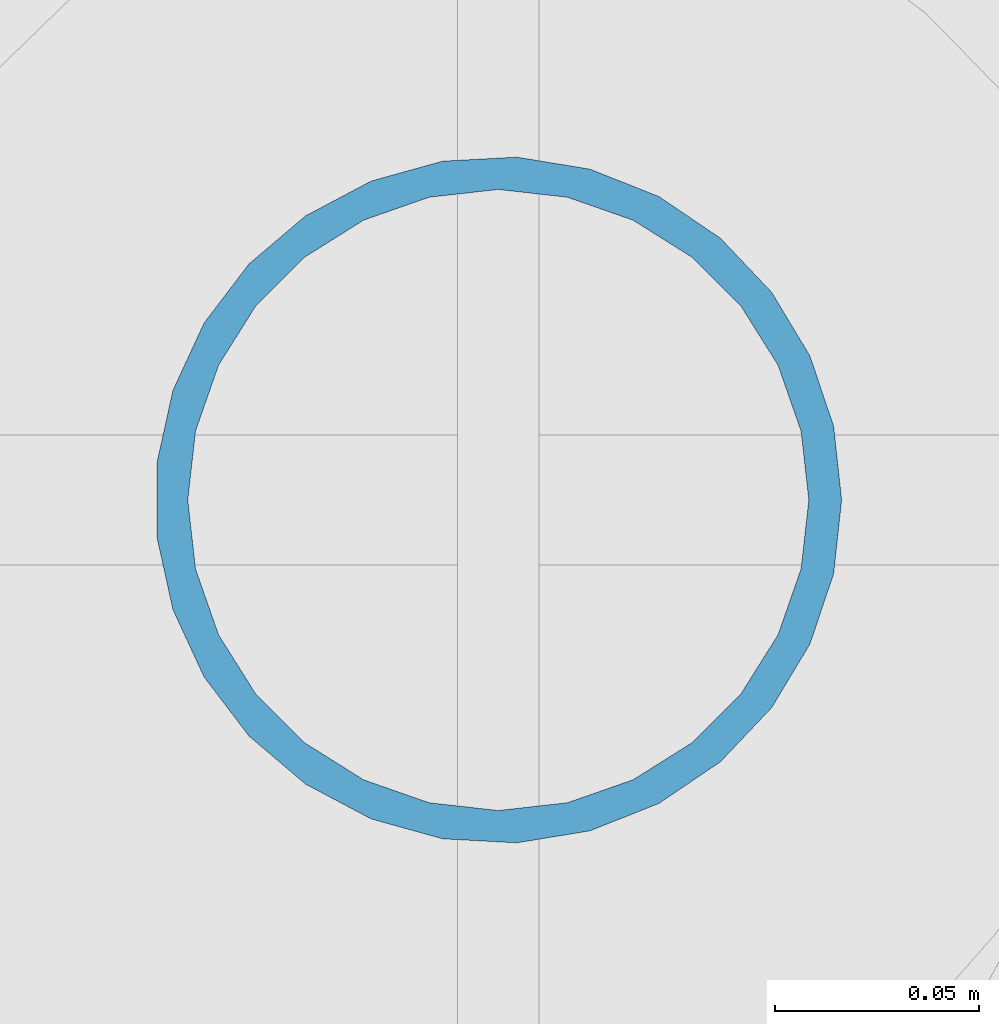
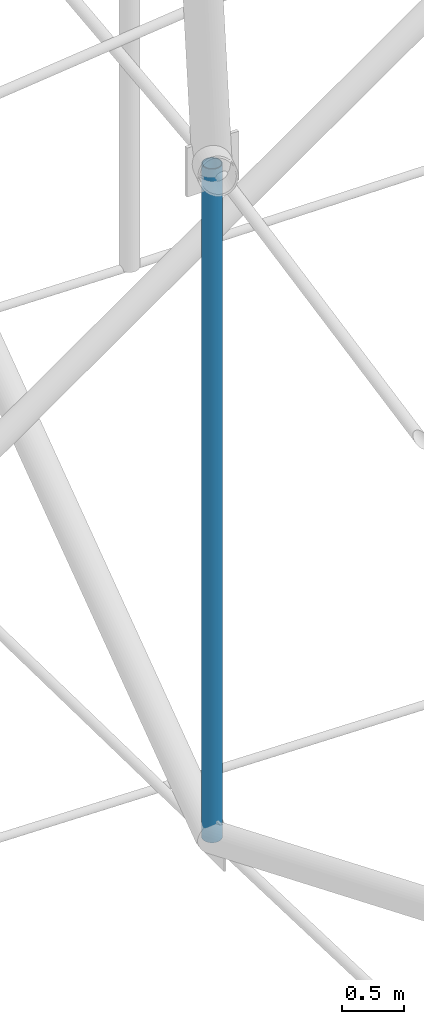
# One storey, part 20 of 173: 1 member.
"""IFC4 building model written with IfcOpenShell, lengths in metres."""

from ifc_helpers import new_model, si_unit, direction, frame, origin, origin_2d, place, context, subcontext, project, spatial, hollow_circle, extrude, material, material_profile, profile_set, type_object, element, save


model = new_model("IFC4")

# Units and contexts
model_context = context("Model", 3, precision=1e-05, world=origin(), true_north=direction((0.0, 1.0)))
body_context = subcontext(model_context, "Body", "Model", "MODEL_VIEW")
ifc_project = project(units=[si_unit("LENGTHUNIT", "METRE"), si_unit("AREAUNIT", "SQUARE_METRE"), si_unit("VOLUMEUNIT", "CUBIC_METRE"), si_unit("PLANEANGLEUNIT", "RADIAN"), si_unit("MASSUNIT", "GRAM", prefix="KILO")], contexts=[model_context])

# Site, building, storey
site_placement = place(None, origin())
site = spatial("IfcSite", under=ifc_project, at=site_placement, CompositionType="ELEMENT")
building_placement = place(site_placement, origin())
building = spatial("IfcBuilding", under=site, at=building_placement, Name="Glasvene Arena", CompositionType="ELEMENT")
storey_placement = place(building_placement, frame((0.0, 0.0, 28.800048828125)))
storey = spatial("IfcBuildingStorey", under=building, at=storey_placement, Name="RF", CompositionType="ELEMENT", Elevation=28.800048828125)

# Member
ifc_material = material(Name="Steel S355J2", Category="steel")
ifc_material_profile = material_profile(ifc_material, hollow_circle(Radius=0.084228515625, WallThickness=0.008056640625, at=origin_2d()), Name="CHS 168.3x8.0")
ifc_profile_set = profile_set([ifc_material_profile], Name="Steel S355J2")
member_type = type_object("IfcMemberType", Name="MB-WEB-CHS168", PredefinedType="BRACE", material=ifc_profile_set)
member_placement = place(storey_placement, frame((76.54931640625, 51.601318359375, -2.112548828125), z_axis=(0.0, 0.0, 1.0), x_axis=(1.0, 0.0, 0.0)))
element("IfcMember", 1, at=member_placement, inside=storey, type_object=member_type, Name="Cable-truss vertical strut NS07-02", PredefinedType="BRACE", context=body_context, shape_type="SweptSolid", body=[
    extrude(hollow_circle(Radius=0.084228515625, WallThickness=0.008056640625, at=origin_2d()), origin(), (0.0, 0.0, 1.0), 6.58544921875),
])

save(model, "model.ifc")
